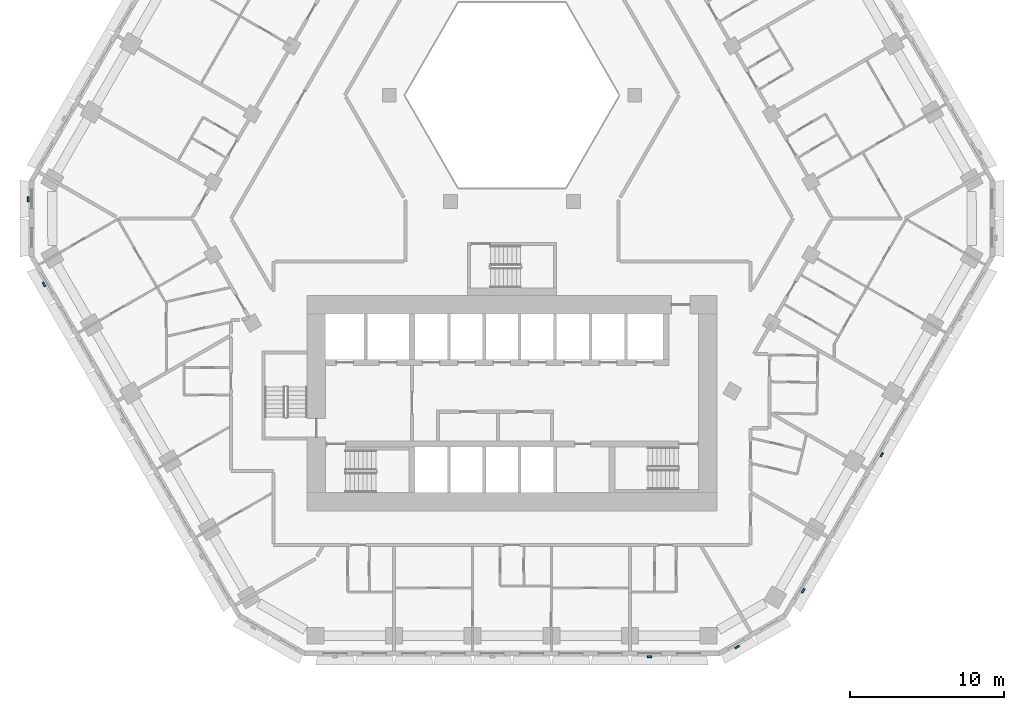
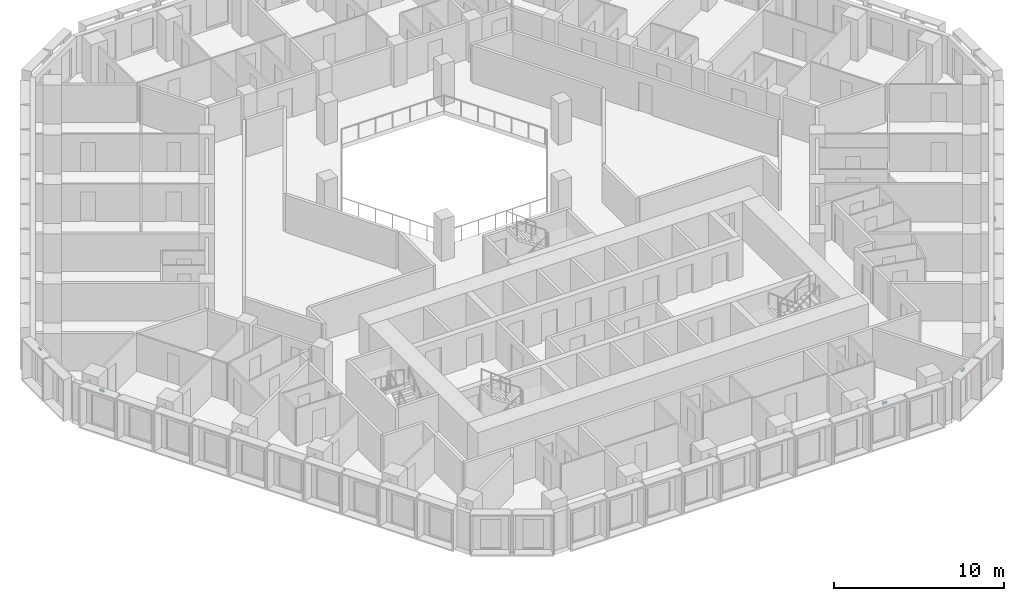
# One storey, part 13 of 21: 6 discrete accessories.
"""IFC4 building model written with IfcOpenShell, lengths in metres."""

from ifc_helpers import new_model, si_unit, direction, frame, origin, place, context, subcontext, project, spatial, polyline, outline, extrude, source, transform, mapped, material, type_object, type_shapes, element, save


model = new_model("IFC4")

# Units and contexts
model_context = context("Model", 3, precision=1e-05, world=origin(), true_north=direction((0.0, 1.0)))
body_context = subcontext(model_context, "Body", "Model", "MODEL_VIEW")
ifc_project = project(units=[si_unit("LENGTHUNIT", "METRE"), si_unit("AREAUNIT", "SQUARE_METRE"), si_unit("VOLUMEUNIT", "CUBIC_METRE"), si_unit("PLANEANGLEUNIT", "RADIAN"), si_unit("MASSUNIT", "GRAM", prefix="KILO")], contexts=[model_context])

# Site, building, storey
site_placement = place(None, origin())
site = spatial("IfcSite", under=ifc_project, at=site_placement, CompositionType="ELEMENT")
building_placement = place(site_placement, origin())
building = spatial("IfcBuilding", under=site, at=building_placement, Name="Beryl Residences", CompositionType="ELEMENT")
storey_placement = place(building_placement, frame((0.0, 0.0, 41.39990234375)))
storey = spatial("IfcBuildingStorey", under=building, at=storey_placement, Name="L12", CompositionType="ELEMENT", Elevation=41.39990234375)

# Discrete accessories
ifc_material = material(Name="Steel S355", Category="steel")
discrete_accessory_type = type_object("IfcDiscreteAccessoryType", Name="BR1 frame bracket 300 x 120 x 150 mm", PredefinedType="BRACKET", material=ifc_material)
shared_shape = source(origin(), body_context, "Body", "SweptSolid", [
    extrude(outline(polyline([(-0.14990234375, 0.0), (0.14990234375, 0.0), (0.14990234375, 0.1201171875), (-0.14990234375, 0.1201171875), (-0.14990234375, 0.0)])), origin(), (0.0, 0.0, 1.0), 0.14990234375),
])
type_shapes(discrete_accessory_type, [shared_shape])
for number, where, z_axis, x_axis, name in (
    (1, (-31.35009765625, 1.25, 2.75), (0.0, 0.0, 1.0), (0.0, 1.0, 0.0), "BR1 bracket L12 NW-SW 1"),
    (2, (-30.3359375, -4.2548828125, 2.75), (0.0, 0.0, 1.0), (-0.5, 0.866025403784, 0.0), "BR1 bracket L12 SW 1"),
    (3, (8.93310546875, -28.39990234375, 2.75), (0.0, 0.0, 1.0), (-1.0, 0.0, 0.0), "BR1 bracket L12 S 9"),
    (4, (14.593017578125, -27.77490234375, 2.75), (0.0, 0.0, 1.0), (-0.866025403784, -0.5, 0.0), "BR1 bracket L12 S-SE 1"),
    (5, (18.85400390625, -24.14501953125, 2.75), (0.0, 0.0, 1.0), (-0.5, -0.866025403784, 0.0), "BR1 bracket L12 SE 1"),
    (6, (23.9580078125, -15.303955078125, 2.75), (0.0, 0.0, 1.0), (-0.5, -0.866025403784, 0.0), "BR1 bracket L12 SE 5"),
):
    element("IfcDiscreteAccessory", number, at=place(storey_placement, frame(where, z_axis=z_axis, x_axis=x_axis)), inside=storey, type_object=discrete_accessory_type, Name=name, PredefinedType="BRACKET", context=body_context, shape_type="MappedRepresentation", body=[
        mapped(shared_shape, transform((0.0, 0.0, 0.0))),
    ])

save(model, "model.ifc")
